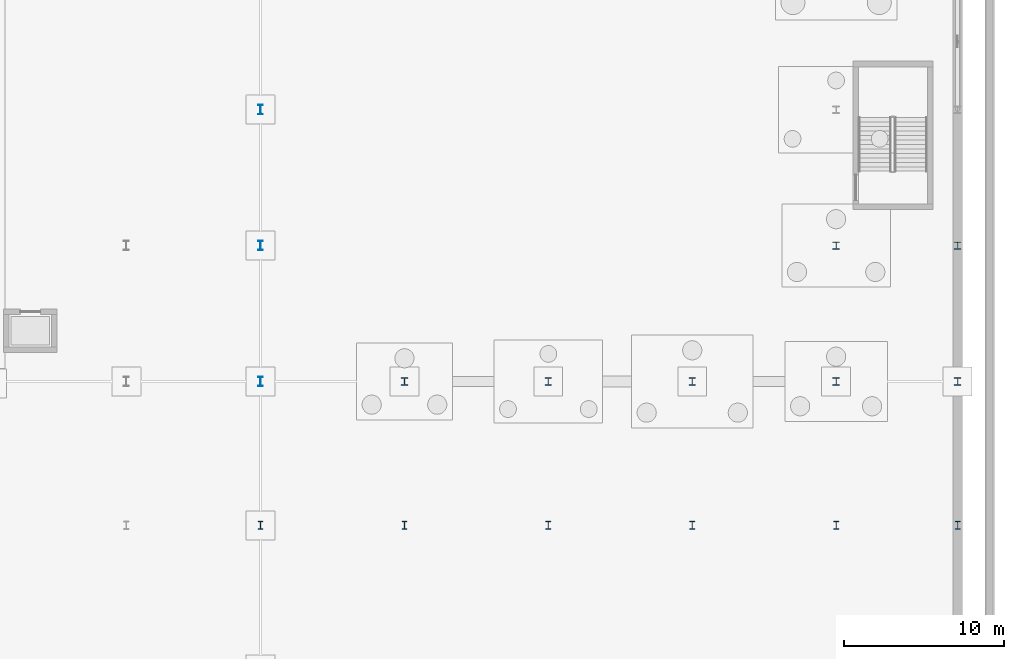
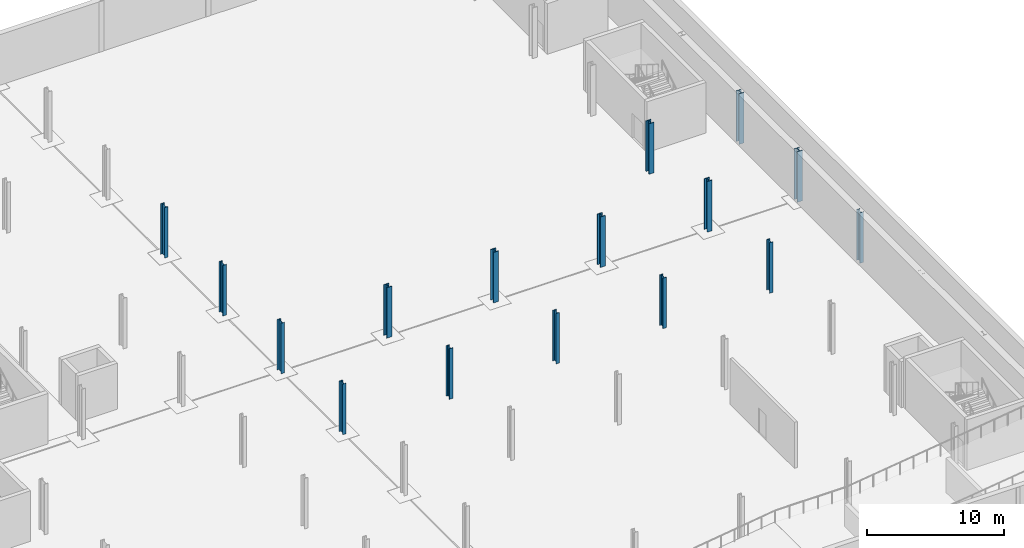
# One storey, part 18 of 45: 16 columns.
"""IFC4 building model written with IfcOpenShell, lengths in metres."""

from ifc_helpers import new_model, si_unit, direction, frame, origin, origin_2d, place, context, subcontext, project, spatial, i_section, extrude, material, material_profile, profile_set, type_object, element, save


model = new_model("IFC4")

# Units and contexts
model_context = context("Model", 3, precision=1e-05, world=origin(), true_north=direction((0.0, 1.0)))
body_context = subcontext(model_context, "Body", "Model", "MODEL_VIEW")
ifc_project = project(units=[si_unit("LENGTHUNIT", "METRE"), si_unit("AREAUNIT", "SQUARE_METRE"), si_unit("VOLUMEUNIT", "CUBIC_METRE"), si_unit("PLANEANGLEUNIT", "RADIAN"), si_unit("MASSUNIT", "GRAM", prefix="KILO")], contexts=[model_context])

# Site, building, storey
site_placement = place(None, origin())
site = spatial("IfcSite", under=ifc_project, at=site_placement, CompositionType="ELEMENT")
building_placement = place(site_placement, origin())
building = spatial("IfcBuilding", under=site, at=building_placement, Name="Sefraquen Railside Congress Hotel", CompositionType="ELEMENT")
storey_placement = place(building_placement, frame((0.0, 0.0, -4.5)))
storey = spatial("IfcBuildingStorey", under=building, at=storey_placement, Name="B01", CompositionType="ELEMENT", Elevation=-4.5)

# Columns
ifc_material_1 = material(Name="Steel S355J2", Category="steel")
ifc_material_profile_1 = material_profile(ifc_material_1, i_section(OverallWidth=0.424072265625, OverallDepth=0.47412109375, WebThickness=0.044921875, FlangeThickness=0.054931640625, FilletRadius=0.014892578125, at=origin_2d()), Name="HD 400x634")
ifc_profile_set_1 = profile_set([ifc_material_profile_1], Name="Steel S355J2")
column_type_1 = type_object("IfcColumnType", Name="TC-HD-634", PredefinedType="COLUMN", material=ifc_profile_set_1)
for number, where, z_axis, x_axis, name in (
    (1, (164.39990234375, 54.0, 0.0), (0.0, 0.0, 1.0), (1.0, 0.0, 0.0), "Structural column 21-G B01"),
    (2, (164.39990234375, 62.5, 0.0), (0.0, 0.0, 1.0), (1.0, 0.0, 0.0), "Structural column 21-H B01"),
    (3, (172.0, 54.0, 0.0), (0.0, 0.0, 1.0), (1.0, 0.0, 0.0), "Structural column 22-G B01"),
    (4, (172.0, 62.5, 0.0), (0.0, 0.0, 1.0), (1.0, 0.0, 0.0), "Structural column 22-H B01"),
    (5, (137.39990234375, 54.0, 0.0), (0.0, 0.0, 1.0), (1.0, 0.0, 0.0), "Structural column 18-G B01"),
    (6, (146.39990234375, 54.0, 0.0), (0.0, 0.0, 1.0), (1.0, 0.0, 0.0), "Structural column 19-G B01"),
    (7, (155.39990234375, 54.0, 0.0), (0.0, 0.0, 1.0), (1.0, 0.0, 0.0), "Structural column 20-G B01"),
):
    element("IfcColumn", number, at=place(storey_placement, frame(where, z_axis=z_axis, x_axis=x_axis)), inside=storey, type_object=column_type_1, Name=name, PredefinedType="COLUMN", context=body_context, shape_type="SweptSolid", body=[
        extrude(i_section(OverallWidth=0.424072265625, OverallDepth=0.47412109375, WebThickness=0.044921875, FlangeThickness=0.054931640625, FilletRadius=0.014892578125, at=origin_2d()), origin(), (0.0, 0.0, 1.0), 4.5),
    ])
ifc_material_2 = material(Name="Steel S355JR", Category="steel")
ifc_material_profile_2 = material_profile(ifc_material_2, i_section(OverallWidth=0.300048828125, OverallDepth=0.5, WebThickness=0.014404296875, FlangeThickness=0.028076171875, FilletRadius=0.027099609375, at=origin_2d()), Name="HEB 500")
ifc_profile_set_2 = profile_set([ifc_material_profile_2], Name="Steel S355JR")
column_type_2 = type_object("IfcColumnType", Name="TC-HEB-500", PredefinedType="COLUMN", material=ifc_profile_set_2)
for number, where, z_axis, x_axis, name in (
    (8, (128.39990234375, 45.0, 0.0), (0.0, 0.0, 1.0), (1.0, 0.0, 0.0), "Structural column 17-F B01"),
    (9, (137.39990234375, 45.0, 0.0), (0.0, 0.0, 1.0), (1.0, 0.0, 0.0), "Structural column 18-F B01"),
    (10, (146.39990234375, 45.0, 0.0), (0.0, 0.0, 1.0), (1.0, 0.0, 0.0), "Structural column 19-F B01"),
    (11, (155.39990234375, 45.0, 0.0), (0.0, 0.0, 1.0), (1.0, 0.0, 0.0), "Structural column 20-F B01"),
    (12, (164.39990234375, 45.0, 0.0), (0.0, 0.0, 1.0), (1.0, 0.0, 0.0), "Structural column 21-F B01"),
    (13, (172.0, 45.0, 0.0), (0.0, 0.0, 1.0), (1.0, 0.0, 0.0), "Structural column 22-F B01"),
):
    element("IfcColumn", number, at=place(storey_placement, frame(where, z_axis=z_axis, x_axis=x_axis)), inside=storey, type_object=column_type_2, Name=name, PredefinedType="COLUMN", context=body_context, shape_type="SweptSolid", body=[
        extrude(i_section(OverallWidth=0.300048828125, OverallDepth=0.5, WebThickness=0.014404296875, FlangeThickness=0.028076171875, FilletRadius=0.027099609375, at=origin_2d()), origin(), (0.0, 0.0, 1.0), 4.5),
    ])
ifc_material_profile_3 = material_profile(ifc_material_2, i_section(OverallWidth=0.300048828125, OverallDepth=0.60009765625, WebThickness=0.015380859375, FlangeThickness=0.030029296875, FilletRadius=0.027099609375, at=origin_2d()), Name="HEB 600")
ifc_profile_set_3 = profile_set([ifc_material_profile_3], Name="Steel S355JR")
column_type_3 = type_object("IfcColumnType", Name="TC-HEB-600", PredefinedType="COLUMN", material=ifc_profile_set_3)
for number, where, z_axis, x_axis, name in (
    (14, (128.39990234375, 54.0, 0.0), (0.0, 0.0, 1.0), (1.0, 0.0, 0.0), "Structural column 17-G B01"),
    (15, (128.39990234375, 62.5, 0.0), (0.0, 0.0, 1.0), (1.0, 0.0, 0.0), "Structural column 17-H B01"),
    (16, (128.39990234375, 71.0, 0.0), (0.0, 0.0, 1.0), (1.0, 0.0, 0.0), "Structural column 17-J B01"),
):
    element("IfcColumn", number, at=place(storey_placement, frame(where, z_axis=z_axis, x_axis=x_axis)), inside=storey, type_object=column_type_3, Name=name, PredefinedType="COLUMN", context=body_context, shape_type="SweptSolid", body=[
        extrude(i_section(OverallWidth=0.300048828125, OverallDepth=0.60009765625, WebThickness=0.015380859375, FlangeThickness=0.030029296875, FilletRadius=0.027099609375, at=origin_2d()), origin(), (0.0, 0.0, 1.0), 4.5),
    ])

save(model, "model.ifc")
